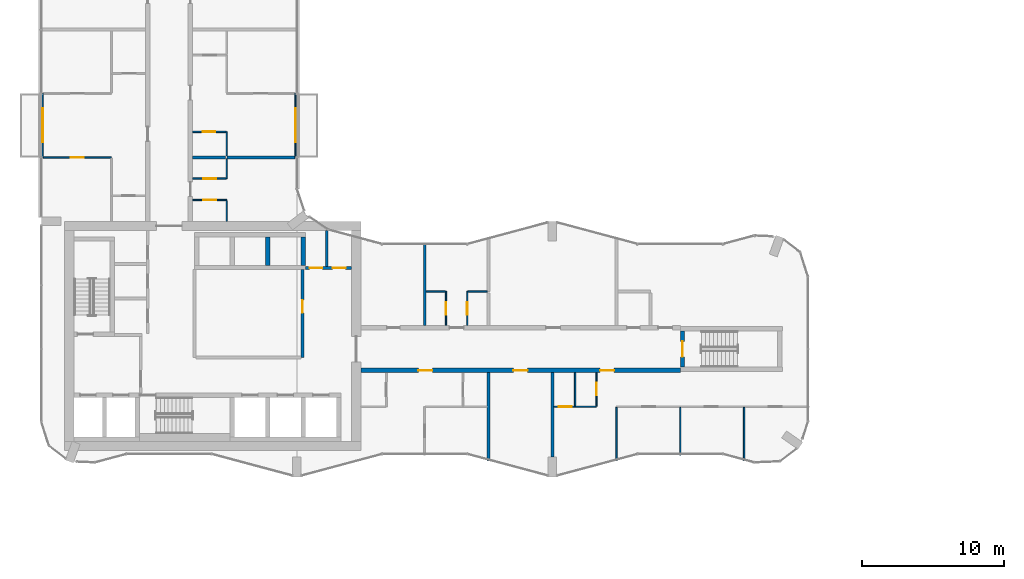
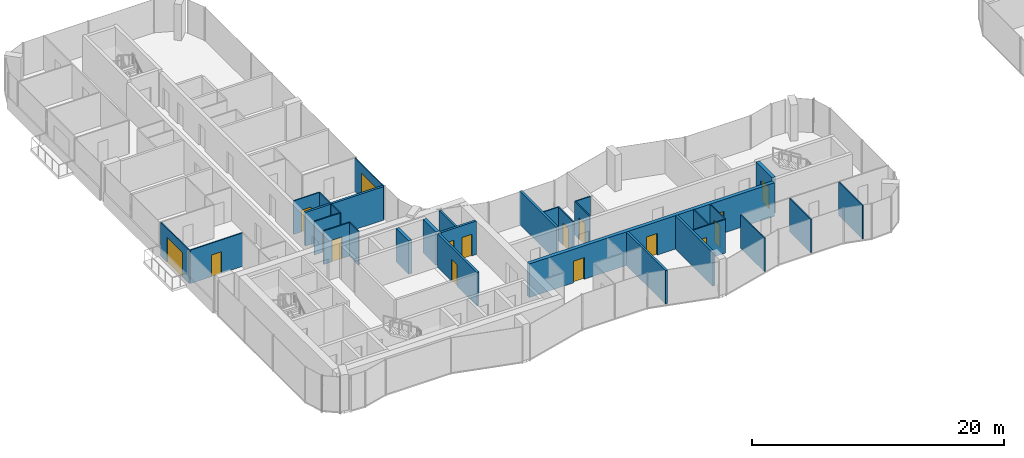
# One storey, part 14 of 22: 31 walls, 17 doors, 17 openings.
"""IFC4 building model written with IfcOpenShell, lengths in metres."""

from ifc_helpers import new_model, si_unit, direction, frame, frame_2d, origin, place, context, subcontext, project, spatial, rectangle, extrude, material, layer, layer_set, type_object, element, fill, save


model = new_model("IFC4")

# Units and contexts
model_context = context("Model", 3, precision=1e-05, world=origin(), true_north=direction((0.0, 1.0)))
body_context = subcontext(model_context, "Body", "Model", "MODEL_VIEW")
ifc_project = project(units=[si_unit("LENGTHUNIT", "METRE"), si_unit("AREAUNIT", "SQUARE_METRE"), si_unit("VOLUMEUNIT", "CUBIC_METRE"), si_unit("PLANEANGLEUNIT", "RADIAN"), si_unit("MASSUNIT", "GRAM", prefix="KILO")], contexts=[model_context])

# Site, building, storey
site_placement = place(None, origin())
site = spatial("IfcSite", under=ifc_project, at=site_placement, CompositionType="ELEMENT")
building_placement = place(site_placement, origin())
building = spatial("IfcBuilding", under=site, at=building_placement, Name="Plateau Cross Towers", CompositionType="ELEMENT")
storey_placement = place(building_placement, frame((0.0, 0.0, 109.800048828125)))
storey = spatial("IfcBuildingStorey", under=building, at=storey_placement, Name="L28", CompositionType="ELEMENT", Elevation=109.800048828125)

# Wall, opening, door
ifc_material_1 = material(Name="Aluminium framed glazing", Category="aluminium")
ifc_layer_1 = layer(ifc_material_1, 0.10009765625)
ifc_layer_set_1 = layer_set([ifc_layer_1], Name="Aluminium framed glazing")
wall_type_1 = type_object("IfcWallType", Name="Balcony screen wall 100", PredefinedType="STANDARD", material=ifc_layer_set_1)
wall_1_placement = place(storey_placement, frame((0.10009765625, 22.5, 0.0), z_axis=(0.0, 0.0, 1.0), x_axis=(0.0, 1.0, 0.0)))
wall_1 = element("IfcWall", 1, at=wall_1_placement, inside=storey, type_object=wall_type_1, Name="Balcony screen wall A-BAL-L28-01", PredefinedType="STANDARD", context=body_context, shape_type="SweptSolid", body=[
    extrude(rectangle(XDim=4.5, YDim=0.10009765625, at=frame_2d((2.25, 0.0))), origin(), (0.0, 0.0, 1.0), 3.25),
])
opening_1_placement = place(wall_1_placement, frame((1.050048828125, 0.0, 0.0)))
opening_1 = element("IfcOpeningElement", 2, at=opening_1_placement, cuts=wall_1, Name="Opening D-B24", PredefinedType="OPENING", context=body_context, shape_type="SweptSolid", body=[
    extrude(rectangle(XDim=2.39990234375, YDim=2.39990234375, at=frame_2d((1.199951171875, 1.199951171875))), frame((0.0, 0.06005859375, 0.0), z_axis=(0.0, -1.0, 0.0), x_axis=(1.0, 0.0, 0.0)), (0.0, 0.0, 1.0), 0.1201171875),
])
ifc_material_2 = material(Name="Aluminium frame, double glazing", Category="aluminium")
door_type_1 = type_object("IfcDoorType", Name="Balcony sliding door 2400", OperationType="NOTDEFINED", PredefinedType="DOOR", material=ifc_material_2)
door_1_placement = place(opening_1_placement, origin())
door_1 = element("IfcDoor", 3, at=door_1_placement, inside=storey, type_object=door_type_1, Name="Balcony door A-BAL-L28-01", OperationType="SINGLE_SWING_LEFT", OverallHeight=2.39990234375, OverallWidth=2.39990234375, PredefinedType="DOOR", context=body_context, shape_type="SweptSolid", body=[
    extrude(rectangle(XDim=2.39990234375, YDim=2.39990234375, at=frame_2d((1.199951171875, 1.199951171875))), frame((0.0, 0.02490234375, 0.0), z_axis=(0.0, -1.0, 0.0), x_axis=(1.0, 0.0, 0.0)), (0.0, 0.0, 1.0), 0.050048828125),
])
fill(opening_1, door_1)

wall_2_placement = place(storey_placement, frame((17.89990234375, 27.0, 0.0), z_axis=(0.0, 0.0, 1.0), x_axis=(0.0, -1.0, 0.0)))
wall_2 = element("IfcWall", 4, at=wall_2_placement, inside=storey, type_object=wall_type_1, Name="Balcony screen wall A-BAL-L28-03", PredefinedType="STANDARD", context=body_context, shape_type="SweptSolid", body=[
    extrude(rectangle(XDim=4.5, YDim=0.10009765625, at=frame_2d((2.25, 0.0))), origin(), (0.0, 0.0, 1.0), 3.25),
])
opening_2_placement = place(wall_2_placement, frame((1.050048828125, 0.0, 0.0)))
opening_2 = element("IfcOpeningElement", 5, at=opening_2_placement, cuts=wall_2, Name="Opening D-B24", PredefinedType="OPENING", context=body_context, shape_type="SweptSolid", body=[
    extrude(rectangle(XDim=2.39990234375, YDim=2.39990234375, at=frame_2d((1.199951171875, 1.199951171875))), frame((0.0, 0.06005859375, 0.0), z_axis=(0.0, -1.0, 0.0), x_axis=(1.0, 0.0, 0.0)), (0.0, 0.0, 1.0), 0.1201171875),
])
door_2_placement = place(opening_2_placement, origin())
door_2 = element("IfcDoor", 6, at=door_2_placement, inside=storey, type_object=door_type_1, Name="Balcony door A-BAL-L28-03", OperationType="SINGLE_SWING_LEFT", OverallHeight=2.39990234375, OverallWidth=2.39990234375, PredefinedType="DOOR", context=body_context, shape_type="SweptSolid", body=[
    extrude(rectangle(XDim=2.39990234375, YDim=2.39990234375, at=frame_2d((1.199951171875, 1.199951171875))), frame((0.0, 0.02490234375, 0.0), z_axis=(0.0, -1.0, 0.0), x_axis=(1.0, 0.0, 0.0)), (0.0, 0.0, 1.0), 0.050048828125),
])
fill(opening_2, door_2)

ifc_material_3 = material(Name="Concrete block, plastered both sides", Category="concrete")
ifc_layer_2 = layer(ifc_material_3, 0.199951171875)
ifc_layer_set_2 = layer_set([ifc_layer_2], Name="Concrete block, plastered both sides")
wall_type_2 = type_object("IfcWallType", Name="Core partition 200", PredefinedType="PARTITIONING", material=ifc_layer_set_2)
wall_3_placement = place(storey_placement, frame((18.39990234375, 8.39990234375, 0.0), z_axis=(0.0, 0.0, 1.0), x_axis=(0.0, 1.0, 0.0)))
wall_3 = element("IfcWall", 7, at=wall_3_placement, inside=storey, type_object=wall_type_2, Name="Core partition", PredefinedType="PARTITIONING", context=body_context, shape_type="SweptSolid", body=[
    extrude(rectangle(XDim=6.2001953125, YDim=0.199951171875, at=frame_2d((3.10009765625, 0.0))), origin(), (0.0, 0.0, 1.0), 3.25),
])
opening_3_placement = place(wall_3_placement, frame((3.14990234375, 0.0, 0.0)))
opening_3 = element("IfcOpeningElement", 8, at=opening_3_placement, cuts=wall_3, Name="Opening RD1", PredefinedType="OPENING", context=body_context, shape_type="SweptSolid", body=[
    extrude(rectangle(XDim=0.89990234375, YDim=2.10009765625, at=frame_2d((0.449951171875, 1.050048828125))), frame((0.0, 0.10986328125, 0.0), z_axis=(0.0, -1.0, 0.0), x_axis=(1.0, 0.0, 0.0)), (0.0, 0.0, 1.0), 0.219970703125),
])
ifc_material_4 = material(Name="Timber, fire-resisting leaf", Category="wood")
door_type_2 = type_object("IfcDoorType", Name="Core service door 900", OperationType="NOTDEFINED", PredefinedType="DOOR", material=ifc_material_4)
door_3_placement = place(opening_3_placement, origin())
door_3 = element("IfcDoor", 9, at=door_3_placement, inside=storey, type_object=door_type_2, Name="Core service door RD1", OperationType="SINGLE_SWING_LEFT", OverallHeight=2.10009765625, OverallWidth=0.89990234375, PredefinedType="DOOR", context=body_context, shape_type="SweptSolid", body=[
    extrude(rectangle(XDim=0.89990234375, YDim=2.10009765625, at=frame_2d((0.449951171875, 1.050048828125))), frame((0.0, 0.02490234375, 0.0), z_axis=(0.0, -1.0, 0.0), x_axis=(1.0, 0.0, 0.0)), (0.0, 0.0, 1.0), 0.050048828125),
])
fill(opening_3, door_3)

# Wall, openings, doors
wall_4_placement = place(storey_placement, frame((18.60009765625, 14.699951171875, 0.0), z_axis=(0.0, 0.0, 1.0), x_axis=(1.0, 0.0, 0.0)))
wall_4 = element("IfcWall", 10, at=wall_4_placement, inside=storey, type_object=wall_type_2, Name="Core partition", PredefinedType="PARTITIONING", context=body_context, shape_type="SweptSolid", body=[
    extrude(rectangle(XDim=3.25, YDim=0.199951171875, at=frame_2d((1.625, 0.0))), origin(), (0.0, 0.0, 1.0), 3.25),
])
opening_4_placement = place(wall_4_placement, frame((0.300048828125, 0.0, 0.0)))
opening_4 = element("IfcOpeningElement", 11, at=opening_4_placement, cuts=wall_4, Name="Opening RD2", PredefinedType="OPENING", context=body_context, shape_type="SweptSolid", body=[
    extrude(rectangle(XDim=0.89990234375, YDim=2.10009765625, at=frame_2d((0.449951171875, 1.050048828125))), frame((0.0, 0.10986328125, 0.0), z_axis=(0.0, -1.0, 0.0), x_axis=(1.0, 0.0, 0.0)), (0.0, 0.0, 1.0), 0.219970703125),
])
opening_5_placement = place(wall_4_placement, frame((1.925048828125, 0.0, 0.0)))
opening_5 = element("IfcOpeningElement", 12, at=opening_5_placement, cuts=wall_4, Name="Opening RD2", PredefinedType="OPENING", context=body_context, shape_type="SweptSolid", body=[
    extrude(rectangle(XDim=0.89990234375, YDim=2.10009765625, at=frame_2d((0.449951171875, 1.050048828125))), frame((0.0, 0.10986328125, 0.0), z_axis=(0.0, -1.0, 0.0), x_axis=(1.0, 0.0, 0.0)), (0.0, 0.0, 1.0), 0.219970703125),
])
ifc_material_5 = material(Name="Steel, fire-resisting leaf", Category="steel")
door_type_3 = type_object("IfcDoorType", Name="Core riser door 900", OperationType="NOTDEFINED", PredefinedType="DOOR", material=ifc_material_5)
door_4_placement = place(opening_4_placement, origin())
door_4 = element("IfcDoor", 13, at=door_4_placement, inside=storey, type_object=door_type_3, Name="Core riser door RD2", OperationType="SINGLE_SWING_LEFT", OverallHeight=2.10009765625, OverallWidth=0.89990234375, PredefinedType="DOOR", context=body_context, shape_type="SweptSolid", body=[
    extrude(rectangle(XDim=0.89990234375, YDim=2.10009765625, at=frame_2d((0.449951171875, 1.050048828125))), frame((0.0, 0.02490234375, 0.0), z_axis=(0.0, -1.0, 0.0), x_axis=(1.0, 0.0, 0.0)), (0.0, 0.0, 1.0), 0.050048828125),
])
fill(opening_4, door_4)
door_5_placement = place(opening_5_placement, origin())
door_5 = element("IfcDoor", 14, at=door_5_placement, inside=storey, type_object=door_type_3, Name="Core riser door RD2", OperationType="SINGLE_SWING_LEFT", OverallHeight=2.10009765625, OverallWidth=0.89990234375, PredefinedType="DOOR", context=body_context, shape_type="SweptSolid", body=[
    extrude(rectangle(XDim=0.89990234375, YDim=2.10009765625, at=frame_2d((0.449951171875, 1.050048828125))), frame((0.0, 0.02490234375, 0.0), z_axis=(0.0, -1.0, 0.0), x_axis=(1.0, 0.0, 0.0)), (0.0, 0.0, 1.0), 0.050048828125),
])
fill(opening_5, door_5)

# Walls
wall_5_placement = place(storey_placement, frame((20.10009765625, 14.800048828125, 0.0), z_axis=(0.0, 0.0, 1.0), x_axis=(0.0, 1.0, 0.0)))
element("IfcWall", 15, at=wall_5_placement, inside=storey, type_object=wall_type_2, Name="Core partition", PredefinedType="PARTITIONING", context=body_context, shape_type="SweptSolid", body=[
    extrude(rectangle(XDim=2.550048828125, YDim=0.199951171875, at=frame_2d((1.27490234375, 0.0))), origin(), (0.0, 0.0, 1.0), 3.25),
])
ifc_material_6 = material(Name="Concrete C60/75", Category="concrete")
ifc_layer_3 = layer(ifc_material_6, 0.300048828125)
ifc_layer_set_3 = layer_set([ifc_layer_3], Name="Concrete C60/75")
wall_type_3 = type_object("IfcWallType", Name="Core shaft wall 300", PredefinedType="SHEAR", material=ifc_layer_set_3)
for number, where, z_axis, x_axis, name in (
    (16, (15.949951171875, 14.89990234375, 0.0), (0.0, 0.0, 1.0), (0.0, 1.0, 0.0), "A-nb-v3@L28"),
    (17, (18.449951171875, 14.89990234375, 0.0), (0.0, 0.0, 1.0), (0.0, 1.0, 0.0), "A-nb-v4@L28"),
):
    element("IfcWall", number, at=place(storey_placement, frame(where, z_axis=z_axis, x_axis=x_axis)), inside=storey, type_object=wall_type_3, Name=name, PredefinedType="SHEAR", context=body_context, shape_type="SweptSolid", body=[
        extrude(rectangle(XDim=2.0, YDim=0.300048828125, at=frame_2d((1.0, 0.0))), origin(), (0.0, 0.0, 1.0), 3.25),
    ])

# Wall, openings, doors
ifc_layer_4 = layer(ifc_material_6, 0.324951171875)
ifc_layer_set_4 = layer_set([ifc_layer_4], Name="Concrete C60/75")
wall_type_4 = type_object("IfcWallType", Name="Corridor wall 325", PredefinedType="SHEAR", material=ifc_layer_set_4)
wall_6_placement = place(storey_placement, frame((22.5, 7.5, 0.0), z_axis=(0.0, 0.0, 1.0), x_axis=(1.0, 0.0, 0.0)))
wall_6 = element("IfcWall", 18, at=wall_6_placement, inside=storey, type_object=wall_type_4, Name="A-cw-S1@L28", PredefinedType="SHEAR", context=body_context, shape_type="SweptSolid", body=[
    extrude(rectangle(XDim=22.5, YDim=0.324951171875, at=frame_2d((11.25, 0.0))), origin(), (0.0, 0.0, 1.0), 3.25),
])
opening_6_placement = place(wall_6_placement, frame((4.050048828125, 0.0, 0.0)))
opening_6 = element("IfcOpeningElement", 19, at=opening_6_placement, cuts=wall_6, Name="Opening 28-01", PredefinedType="OPENING", context=body_context, shape_type="SweptSolid", body=[
    extrude(rectangle(XDim=1.0, YDim=2.10009765625, at=frame_2d((0.5, 1.050048828125))), frame((0.0, 0.17236328125, 0.0), z_axis=(0.0, -1.0, 0.0), x_axis=(1.0, 0.0, 0.0)), (0.0, 0.0, 1.0), 0.344970703125),
])
opening_7_placement = place(wall_6_placement, frame((10.75, 0.0, 0.0)))
opening_7 = element("IfcOpeningElement", 20, at=opening_7_placement, cuts=wall_6, Name="Opening 28-02", PredefinedType="OPENING", context=body_context, shape_type="SweptSolid", body=[
    extrude(rectangle(XDim=1.0, YDim=2.10009765625, at=frame_2d((0.5, 1.050048828125))), frame((0.0, 0.17236328125, 0.0), z_axis=(0.0, -1.0, 0.0), x_axis=(1.0, 0.0, 0.0)), (0.0, 0.0, 1.0), 0.344970703125),
])
opening_8_placement = place(wall_6_placement, frame((16.85009765625, 0.0, 0.0)))
opening_8 = element("IfcOpeningElement", 21, at=opening_8_placement, cuts=wall_6, Name="Opening 28-03", PredefinedType="OPENING", context=body_context, shape_type="SweptSolid", body=[
    extrude(rectangle(XDim=1.0, YDim=2.10009765625, at=frame_2d((0.5, 1.050048828125))), frame((0.0, 0.17236328125, 0.0), z_axis=(0.0, -1.0, 0.0), x_axis=(1.0, 0.0, 0.0)), (0.0, 0.0, 1.0), 0.344970703125),
])
door_type_4 = type_object("IfcDoorType", Name="Flat entrance door 1000", OperationType="NOTDEFINED", PredefinedType="DOOR", material=ifc_material_4)
door_6_placement = place(opening_6_placement, origin())
door_6 = element("IfcDoor", 22, at=door_6_placement, inside=storey, type_object=door_type_4, Name="Door 28-01", OperationType="SINGLE_SWING_LEFT", OverallHeight=2.10009765625, OverallWidth=1.0, PredefinedType="DOOR", context=body_context, shape_type="SweptSolid", body=[
    extrude(rectangle(XDim=1.0, YDim=2.10009765625, at=frame_2d((0.5, 1.050048828125))), frame((0.0, 0.02490234375, 0.0), z_axis=(0.0, -1.0, 0.0), x_axis=(1.0, 0.0, 0.0)), (0.0, 0.0, 1.0), 0.050048828125),
])
fill(opening_6, door_6)
door_7_placement = place(opening_7_placement, origin())
door_7 = element("IfcDoor", 23, at=door_7_placement, inside=storey, type_object=door_type_4, Name="Door 28-02", OperationType="SINGLE_SWING_LEFT", OverallHeight=2.10009765625, OverallWidth=1.0, PredefinedType="DOOR", context=body_context, shape_type="SweptSolid", body=[
    extrude(rectangle(XDim=1.0, YDim=2.10009765625, at=frame_2d((0.5, 1.050048828125))), frame((0.0, 0.02490234375, 0.0), z_axis=(0.0, -1.0, 0.0), x_axis=(1.0, 0.0, 0.0)), (0.0, 0.0, 1.0), 0.050048828125),
])
fill(opening_7, door_7)
door_8_placement = place(opening_8_placement, origin())
door_8 = element("IfcDoor", 24, at=door_8_placement, inside=storey, type_object=door_type_4, Name="Door 28-03", OperationType="SINGLE_SWING_RIGHT", OverallHeight=2.10009765625, OverallWidth=1.0, PredefinedType="DOOR", context=body_context, shape_type="SweptSolid", body=[
    extrude(rectangle(XDim=1.0, YDim=2.10009765625, at=frame_2d((0.5, 1.050048828125))), frame((0.0, 0.02490234375, 0.0), z_axis=(0.0, -1.0, 0.0), x_axis=(1.0, 0.0, 0.0)), (0.0, 0.0, 1.0), 0.050048828125),
])
fill(opening_8, door_8)

# Wall, opening, door
ifc_material_7 = material(Name="Gypsum board on steel studs", Category="steel")
ifc_layer_5 = layer(ifc_material_7, 0.10009765625)
ifc_layer_set_5 = layer_set([ifc_layer_5], Name="Gypsum board on steel studs")
wall_type_5 = type_object("IfcWallType", Name="Flat partition 100", PredefinedType="PARTITIONING", material=ifc_layer_set_5)
wall_7_placement = place(storey_placement, frame((36.10009765625, 4.9375, 0.0), z_axis=(0.0, 0.0, 1.0), x_axis=(1.0, 0.0, 0.0)))
wall_7 = element("IfcWall", 25, at=wall_7_placement, inside=storey, type_object=wall_type_5, Name="Partition wall", PredefinedType="PARTITIONING", context=body_context, shape_type="SweptSolid", body=[
    extrude(rectangle(XDim=3.0, YDim=0.10009765625, at=frame_2d((1.5, 0.0))), origin(), (0.0, 0.0, 1.0), 3.25),
])
opening_9_placement = place(wall_7_placement, frame((0.35009765625, 0.0, 0.0)))
opening_9 = element("IfcOpeningElement", 26, at=opening_9_placement, cuts=wall_7, Name="Opening 28-21", PredefinedType="OPENING", context=body_context, shape_type="SweptSolid", body=[
    extrude(rectangle(XDim=0.89990234375, YDim=2.10009765625, at=frame_2d((0.449951171875, 1.050048828125))), frame((0.0, 0.06005859375, 0.0), z_axis=(0.0, -1.0, 0.0), x_axis=(1.0, 0.0, 0.0)), (0.0, 0.0, 1.0), 0.1201171875),
])
ifc_material_8 = material(Name="Timber leaf", Category="wood")
door_type_5 = type_object("IfcDoorType", Name="Flat room door 900", OperationType="NOTDEFINED", PredefinedType="DOOR", material=ifc_material_8)
door_9_placement = place(opening_9_placement, origin())
door_9 = element("IfcDoor", 27, at=door_9_placement, inside=storey, type_object=door_type_5, Name="Door 28-21", OperationType="SINGLE_SWING_LEFT", OverallHeight=2.10009765625, OverallWidth=0.89990234375, PredefinedType="DOOR", context=body_context, shape_type="SweptSolid", body=[
    extrude(rectangle(XDim=0.89990234375, YDim=2.10009765625, at=frame_2d((0.449951171875, 1.050048828125))), frame((0.0, 0.02490234375, 0.0), z_axis=(0.0, -1.0, 0.0), x_axis=(1.0, 0.0, 0.0)), (0.0, 0.0, 1.0), 0.050048828125),
])
fill(opening_9, door_9)

# Walls
for number, where, z_axis, x_axis, name in (
    (28, (28.449951171875, 13.0625, 0.0), (0.0, 0.0, 1.0), (-1.0, 0.0, 0.0), "Partition wall"),
    (29, (31.39990234375, 13.0625, 0.0), (0.0, 0.0, 1.0), (-1.0, 0.0, 0.0), "Partition wall"),
):
    element("IfcWall", number, at=place(storey_placement, frame(where, z_axis=z_axis, x_axis=x_axis)), inside=storey, type_object=wall_type_5, Name=name, PredefinedType="PARTITIONING", context=body_context, shape_type="SweptSolid", body=[
        extrude(rectangle(XDim=1.349853515625, YDim=0.10009765625, at=frame_2d((0.6748046875, 0.0))), origin(), (0.0, 0.0, 1.0), 3.25),
    ])

# Wall, opening, door
wall_8_placement = place(storey_placement, frame((13.0625, 19.5, 0.0), z_axis=(0.0, 0.0, 1.0), x_axis=(-1.0, 0.0, 0.0)))
wall_8 = element("IfcWall", 30, at=wall_8_placement, inside=storey, type_object=wall_type_5, Name="Partition wall", PredefinedType="PARTITIONING", context=body_context, shape_type="SweptSolid", body=[
    extrude(rectangle(XDim=2.39990234375, YDim=0.10009765625, at=frame_2d((1.199951171875, 0.0))), origin(), (0.0, 0.0, 1.0), 3.25),
])
opening_10_placement = place(wall_8_placement, frame((0.75, 0.0, 0.0)))
opening_10 = element("IfcOpeningElement", 31, at=opening_10_placement, cuts=wall_8, Name="Opening 28-37", PredefinedType="OPENING", context=body_context, shape_type="SweptSolid", body=[
    extrude(rectangle(XDim=0.89990234375, YDim=2.10009765625, at=frame_2d((0.449951171875, 1.050048828125))), frame((0.0, 0.06005859375, 0.0), z_axis=(0.0, -1.0, 0.0), x_axis=(1.0, 0.0, 0.0)), (0.0, 0.0, 1.0), 0.1201171875),
])
door_10_placement = place(opening_10_placement, origin())
door_10 = element("IfcDoor", 32, at=door_10_placement, inside=storey, type_object=door_type_5, Name="Door 28-37", OperationType="SINGLE_SWING_LEFT", OverallHeight=2.10009765625, OverallWidth=0.89990234375, PredefinedType="DOOR", context=body_context, shape_type="SweptSolid", body=[
    extrude(rectangle(XDim=0.89990234375, YDim=2.10009765625, at=frame_2d((0.449951171875, 1.050048828125))), frame((0.0, 0.02490234375, 0.0), z_axis=(0.0, -1.0, 0.0), x_axis=(1.0, 0.0, 0.0)), (0.0, 0.0, 1.0), 0.050048828125),
])
fill(opening_10, door_10)

wall_9_placement = place(storey_placement, frame((10.66259765625, 21.0, 0.0), z_axis=(0.0, 0.0, 1.0), x_axis=(1.0, 0.0, 0.0)))
wall_9 = element("IfcWall", 33, at=wall_9_placement, inside=storey, type_object=wall_type_5, Name="Partition wall", PredefinedType="PARTITIONING", context=body_context, shape_type="SweptSolid", body=[
    extrude(rectangle(XDim=2.349853515625, YDim=0.10009765625, at=frame_2d((1.1748046875, 0.0))), origin(), (0.0, 0.0, 1.0), 3.25),
])
opening_11_placement = place(wall_9_placement, frame((0.75, 0.0, 0.0)))
opening_11 = element("IfcOpeningElement", 34, at=opening_11_placement, cuts=wall_9, Name="Opening 28-38", PredefinedType="OPENING", context=body_context, shape_type="SweptSolid", body=[
    extrude(rectangle(XDim=0.89990234375, YDim=2.10009765625, at=frame_2d((0.449951171875, 1.050048828125))), frame((0.0, 0.06005859375, 0.0), z_axis=(0.0, -1.0, 0.0), x_axis=(1.0, 0.0, 0.0)), (0.0, 0.0, 1.0), 0.1201171875),
])
door_11_placement = place(opening_11_placement, origin())
door_11 = element("IfcDoor", 35, at=door_11_placement, inside=storey, type_object=door_type_5, Name="Door 28-38", OperationType="SINGLE_SWING_RIGHT", OverallHeight=2.10009765625, OverallWidth=0.89990234375, PredefinedType="DOOR", context=body_context, shape_type="SweptSolid", body=[
    extrude(rectangle(XDim=0.89990234375, YDim=2.10009765625, at=frame_2d((0.449951171875, 1.050048828125))), frame((0.0, 0.02490234375, 0.0), z_axis=(0.0, -1.0, 0.0), x_axis=(1.0, 0.0, 0.0)), (0.0, 0.0, 1.0), 0.050048828125),
])
fill(opening_11, door_11)

wall_10_placement = place(storey_placement, frame((4.9375, 22.5, 0.0), z_axis=(0.0, 0.0, 1.0), x_axis=(-1.0, 0.0, 0.0)))
wall_10 = element("IfcWall", 36, at=wall_10_placement, inside=storey, type_object=wall_type_5, Name="Partition wall", PredefinedType="PARTITIONING", context=body_context, shape_type="SweptSolid", body=[
    extrude(rectangle(XDim=4.78759765625, YDim=0.10009765625, at=frame_2d((2.393798828125, 0.0))), origin(), (0.0, 0.0, 1.0), 3.25),
])
opening_12_placement = place(wall_10_placement, frame((1.949951171875, 0.0, 0.0)))
opening_12 = element("IfcOpeningElement", 37, at=opening_12_placement, cuts=wall_10, Name="Opening 28-30", PredefinedType="OPENING", context=body_context, shape_type="SweptSolid", body=[
    extrude(rectangle(XDim=0.89990234375, YDim=2.10009765625, at=frame_2d((0.449951171875, 1.050048828125))), frame((0.0, 0.06005859375, 0.0), z_axis=(0.0, -1.0, 0.0), x_axis=(1.0, 0.0, 0.0)), (0.0, 0.0, 1.0), 0.1201171875),
])
door_12_placement = place(opening_12_placement, origin())
door_12 = element("IfcDoor", 38, at=door_12_placement, inside=storey, type_object=door_type_5, Name="Door 28-30", OperationType="SINGLE_SWING_RIGHT", OverallHeight=2.10009765625, OverallWidth=0.89990234375, PredefinedType="DOOR", context=body_context, shape_type="SweptSolid", body=[
    extrude(rectangle(XDim=0.89990234375, YDim=2.10009765625, at=frame_2d((0.449951171875, 1.050048828125))), frame((0.0, 0.02490234375, 0.0), z_axis=(0.0, -1.0, 0.0), x_axis=(1.0, 0.0, 0.0)), (0.0, 0.0, 1.0), 0.050048828125),
])
fill(opening_12, door_12)

wall_11_placement = place(storey_placement, frame((13.012451171875, 24.300048828125, 0.0), z_axis=(0.0, 0.0, 1.0), x_axis=(-1.0, 0.0, 0.0)))
wall_11 = element("IfcWall", 39, at=wall_11_placement, inside=storey, type_object=wall_type_5, Name="Partition wall", PredefinedType="PARTITIONING", context=body_context, shape_type="SweptSolid", body=[
    extrude(rectangle(XDim=2.349853515625, YDim=0.10009765625, at=frame_2d((1.1748046875, 0.0))), origin(), (0.0, 0.0, 1.0), 3.25),
])
opening_13_placement = place(wall_11_placement, frame((0.75, 0.0, 0.0)))
opening_13 = element("IfcOpeningElement", 40, at=opening_13_placement, cuts=wall_11, Name="Opening 28-39", PredefinedType="OPENING", context=body_context, shape_type="SweptSolid", body=[
    extrude(rectangle(XDim=0.89990234375, YDim=2.10009765625, at=frame_2d((0.449951171875, 1.050048828125))), frame((0.0, 0.06005859375, 0.0), z_axis=(0.0, -1.0, 0.0), x_axis=(1.0, 0.0, 0.0)), (0.0, 0.0, 1.0), 0.1201171875),
])
door_13_placement = place(opening_13_placement, origin())
door_13 = element("IfcDoor", 41, at=door_13_placement, inside=storey, type_object=door_type_5, Name="Door 28-39", OperationType="SINGLE_SWING_RIGHT", OverallHeight=2.10009765625, OverallWidth=0.89990234375, PredefinedType="DOOR", context=body_context, shape_type="SweptSolid", body=[
    extrude(rectangle(XDim=0.89990234375, YDim=2.10009765625, at=frame_2d((0.449951171875, 1.050048828125))), frame((0.0, 0.02490234375, 0.0), z_axis=(0.0, -1.0, 0.0), x_axis=(1.0, 0.0, 0.0)), (0.0, 0.0, 1.0), 0.050048828125),
])
fill(opening_13, door_13)

# Walls
wall_12_placement = place(storey_placement, frame((13.0625, 18.0, 0.0), z_axis=(0.0, 0.0, 1.0), x_axis=(0.0, 1.0, 0.0)))
element("IfcWall", 42, at=wall_12_placement, inside=storey, type_object=wall_type_5, Name="Partition wall", PredefinedType="PARTITIONING", context=body_context, shape_type="SweptSolid", body=[
    extrude(rectangle(XDim=1.449951171875, YDim=0.10009765625, at=frame_2d((0.72509765625, 0.0))), origin(), (0.0, 0.0, 1.0), 3.25),
])
wall_13_placement = place(storey_placement, frame((13.0625, 21.0, 0.0), z_axis=(0.0, 0.0, 1.0), x_axis=(0.0, 1.0, 0.0)))
element("IfcWall", 43, at=wall_13_placement, inside=storey, type_object=wall_type_5, Name="Partition wall", PredefinedType="PARTITIONING", context=body_context, shape_type="SweptSolid", body=[
    extrude(rectangle(XDim=1.39990234375, YDim=0.10009765625, at=frame_2d((0.699951171875, 0.0))), origin(), (0.0, 0.0, 1.0), 3.25),
])
wall_14_placement = place(storey_placement, frame((13.0625, 22.60009765625, 0.0), z_axis=(0.0, 0.0, 1.0), x_axis=(0.0, 1.0, 0.0)))
element("IfcWall", 44, at=wall_14_placement, inside=storey, type_object=wall_type_5, Name="Partition wall", PredefinedType="PARTITIONING", context=body_context, shape_type="SweptSolid", body=[
    extrude(rectangle(XDim=1.699951171875, YDim=0.10009765625, at=frame_2d((0.85009765625, 0.0))), origin(), (0.0, 0.0, 1.0), 3.25),
])

# Wall, opening, door
wall_15_placement = place(storey_placement, frame((28.5, 10.66259765625, 0.0), z_axis=(0.0, 0.0, 1.0), x_axis=(0.0, 1.0, 0.0)))
wall_15 = element("IfcWall", 45, at=wall_15_placement, inside=storey, type_object=wall_type_5, Name="Partition wall", PredefinedType="PARTITIONING", context=body_context, shape_type="SweptSolid", body=[
    extrude(rectangle(XDim=2.39990234375, YDim=0.10009765625, at=frame_2d((1.199951171875, 0.0))), origin(), (0.0, 0.0, 1.0), 3.25),
])
opening_14_placement = place(wall_15_placement, frame((0.75, 0.0, 0.0)))
opening_14 = element("IfcOpeningElement", 46, at=opening_14_placement, cuts=wall_15, Name="Opening 28-26", PredefinedType="OPENING", context=body_context, shape_type="SweptSolid", body=[
    extrude(rectangle(XDim=0.89990234375, YDim=2.10009765625, at=frame_2d((0.449951171875, 1.050048828125))), frame((0.0, 0.06005859375, 0.0), z_axis=(0.0, -1.0, 0.0), x_axis=(1.0, 0.0, 0.0)), (0.0, 0.0, 1.0), 0.1201171875),
])
door_14_placement = place(opening_14_placement, origin())
door_14 = element("IfcDoor", 47, at=door_14_placement, inside=storey, type_object=door_type_5, Name="Door 28-26", OperationType="SINGLE_SWING_LEFT", OverallHeight=2.10009765625, OverallWidth=0.89990234375, PredefinedType="DOOR", context=body_context, shape_type="SweptSolid", body=[
    extrude(rectangle(XDim=0.89990234375, YDim=2.10009765625, at=frame_2d((0.449951171875, 1.050048828125))), frame((0.0, 0.02490234375, 0.0), z_axis=(0.0, -1.0, 0.0), x_axis=(1.0, 0.0, 0.0)), (0.0, 0.0, 1.0), 0.050048828125),
])
fill(opening_14, door_14)

wall_16_placement = place(storey_placement, frame((30.0, 13.0625, 0.0), z_axis=(0.0, 0.0, 1.0), x_axis=(0.0, -1.0, 0.0)))
wall_16 = element("IfcWall", 48, at=wall_16_placement, inside=storey, type_object=wall_type_5, Name="Partition wall", PredefinedType="PARTITIONING", context=body_context, shape_type="SweptSolid", body=[
    extrude(rectangle(XDim=2.39990234375, YDim=0.10009765625, at=frame_2d((1.199951171875, 0.0))), origin(), (0.0, 0.0, 1.0), 3.25),
])
opening_15_placement = place(wall_16_placement, frame((0.75, 0.0, 0.0)))
opening_15 = element("IfcOpeningElement", 49, at=opening_15_placement, cuts=wall_16, Name="Opening 28-27", PredefinedType="OPENING", context=body_context, shape_type="SweptSolid", body=[
    extrude(rectangle(XDim=0.89990234375, YDim=2.10009765625, at=frame_2d((0.449951171875, 1.050048828125))), frame((0.0, 0.06005859375, 0.0), z_axis=(0.0, -1.0, 0.0), x_axis=(1.0, 0.0, 0.0)), (0.0, 0.0, 1.0), 0.1201171875),
])
door_15_placement = place(opening_15_placement, origin())
door_15 = element("IfcDoor", 50, at=door_15_placement, inside=storey, type_object=door_type_5, Name="Door 28-27", OperationType="SINGLE_SWING_LEFT", OverallHeight=2.10009765625, OverallWidth=0.89990234375, PredefinedType="DOOR", context=body_context, shape_type="SweptSolid", body=[
    extrude(rectangle(XDim=0.89990234375, YDim=2.10009765625, at=frame_2d((0.449951171875, 1.050048828125))), frame((0.0, 0.02490234375, 0.0), z_axis=(0.0, -1.0, 0.0), x_axis=(1.0, 0.0, 0.0)), (0.0, 0.0, 1.0), 0.050048828125),
])
fill(opening_15, door_15)

# Wall
wall_17_placement = place(storey_placement, frame((37.60009765625, 4.987548828125, 0.0), z_axis=(0.0, 0.0, 1.0), x_axis=(0.0, 1.0, 0.0)))
element("IfcWall", 51, at=wall_17_placement, inside=storey, type_object=wall_type_5, Name="Partition wall", PredefinedType="PARTITIONING", context=body_context, shape_type="SweptSolid", body=[
    extrude(rectangle(XDim=2.349853515625, YDim=0.10009765625, at=frame_2d((1.1748046875, 0.0))), origin(), (0.0, 0.0, 1.0), 3.25),
])

# Wall, opening, door
wall_18_placement = place(storey_placement, frame((39.10009765625, 4.987548828125, 0.0), z_axis=(0.0, 0.0, 1.0), x_axis=(0.0, 1.0, 0.0)))
wall_18 = element("IfcWall", 52, at=wall_18_placement, inside=storey, type_object=wall_type_5, Name="Partition wall", PredefinedType="PARTITIONING", context=body_context, shape_type="SweptSolid", body=[
    extrude(rectangle(XDim=2.349853515625, YDim=0.10009765625, at=frame_2d((1.1748046875, 0.0))), origin(), (0.0, 0.0, 1.0), 3.25),
])
opening_16_placement = place(wall_18_placement, frame((0.75, 0.0, 0.0)))
opening_16 = element("IfcOpeningElement", 53, at=opening_16_placement, cuts=wall_18, Name="Opening 28-22", PredefinedType="OPENING", context=body_context, shape_type="SweptSolid", body=[
    extrude(rectangle(XDim=0.89990234375, YDim=2.10009765625, at=frame_2d((0.449951171875, 1.050048828125))), frame((0.0, 0.06005859375, 0.0), z_axis=(0.0, -1.0, 0.0), x_axis=(1.0, 0.0, 0.0)), (0.0, 0.0, 1.0), 0.1201171875),
])
door_16_placement = place(opening_16_placement, origin())
door_16 = element("IfcDoor", 54, at=door_16_placement, inside=storey, type_object=door_type_5, Name="Door 28-22", OperationType="SINGLE_SWING_RIGHT", OverallHeight=2.10009765625, OverallWidth=0.89990234375, PredefinedType="DOOR", context=body_context, shape_type="SweptSolid", body=[
    extrude(rectangle(XDim=0.89990234375, YDim=2.10009765625, at=frame_2d((0.449951171875, 1.050048828125))), frame((0.0, 0.02490234375, 0.0), z_axis=(0.0, -1.0, 0.0), x_axis=(1.0, 0.0, 0.0)), (0.0, 0.0, 1.0), 0.050048828125),
])
fill(opening_16, door_16)

# Walls
wall_19_placement = place(storey_placement, frame((40.5, 4.887451171875, 0.0), z_axis=(0.0, 0.0, 1.0), x_axis=(0.0, -1.0, 0.0)))
element("IfcWall", 55, at=wall_19_placement, inside=storey, type_object=wall_type_5, Name="Partition wall", PredefinedType="PARTITIONING", context=body_context, shape_type="SweptSolid", body=[
    extrude(rectangle(XDim=3.76513671875, YDim=0.10009765625, at=frame_2d((1.882568359375, 0.0))), origin(), (0.0, 0.0, 1.0), 3.25),
])
wall_20_placement = place(storey_placement, frame((45.0, 1.52685546875, 0.0), z_axis=(0.0, 0.0, 1.0), x_axis=(0.0, 1.0, 0.0)))
element("IfcWall", 56, at=wall_20_placement, inside=storey, type_object=wall_type_5, Name="Partition wall", PredefinedType="PARTITIONING", context=body_context, shape_type="SweptSolid", body=[
    extrude(rectangle(XDim=3.360595703125, YDim=0.10009765625, at=frame_2d((1.68017578125, 0.0))), origin(), (0.0, 0.0, 1.0), 3.25),
])
wall_21_placement = place(storey_placement, frame((49.5, 1.122314453125, 0.0), z_axis=(0.0, 0.0, 1.0), x_axis=(0.0, 1.0, 0.0)))
element("IfcWall", 57, at=wall_21_placement, inside=storey, type_object=wall_type_5, Name="Partition wall", PredefinedType="PARTITIONING", context=body_context, shape_type="SweptSolid", body=[
    extrude(rectangle(XDim=3.76513671875, YDim=0.10009765625, at=frame_2d((1.882568359375, 0.0))), origin(), (0.0, 0.0, 1.0), 3.25),
])
ifc_material_9 = material(Name="Gypsum board on steel studs, two layers each side", Category="steel")
ifc_layer_6 = layer(ifc_material_9, 0.199951171875)
ifc_layer_set_6 = layer_set([ifc_layer_6], Name="Gypsum board on steel studs, two layers each side")
wall_type_6 = type_object("IfcWallType", Name="Flat party wall 200", PredefinedType="PARTITIONING", material=ifc_layer_set_6)
wall_22_placement = place(storey_placement, frame((12.96240234375, 22.5, 0.0), z_axis=(0.0, 0.0, 1.0), x_axis=(-1.0, 0.0, 0.0)))
element("IfcWall", 58, at=wall_22_placement, inside=storey, type_object=wall_type_6, Name="Party wall", PredefinedType="PARTITIONING", context=body_context, shape_type="SweptSolid", body=[
    extrude(rectangle(XDim=2.2998046875, YDim=0.199951171875, at=frame_2d((1.14990234375, 0.0))), origin(), (0.0, 0.0, 1.0), 3.25),
])
wall_23_placement = place(storey_placement, frame((13.0625, 22.5, 0.0), z_axis=(0.0, 0.0, 1.0), x_axis=(1.0, 0.0, 0.0)))
element("IfcWall", 59, at=wall_23_placement, inside=storey, type_object=wall_type_6, Name="Party wall", PredefinedType="PARTITIONING", context=body_context, shape_type="SweptSolid", body=[
    extrude(rectangle(XDim=4.78759765625, YDim=0.199951171875, at=frame_2d((2.393798828125, 0.0))), origin(), (0.0, 0.0, 1.0), 3.25),
])
wall_24_placement = place(storey_placement, frame((27.0, 10.66259765625, 0.0), z_axis=(0.0, 0.0, 1.0), x_axis=(0.0, 1.0, 0.0)))
element("IfcWall", 60, at=wall_24_placement, inside=storey, type_object=wall_type_6, Name="Party wall", PredefinedType="PARTITIONING", context=body_context, shape_type="SweptSolid", body=[
    extrude(rectangle(XDim=5.810546875, YDim=0.199951171875, at=frame_2d((2.9052734375, 0.0))), origin(), (0.0, 0.0, 1.0), 3.25),
])
wall_25_placement = place(storey_placement, frame((31.5, 1.122314453125, 0.0), z_axis=(0.0, 0.0, 1.0), x_axis=(0.0, 1.0, 0.0)))
element("IfcWall", 61, at=wall_25_placement, inside=storey, type_object=wall_type_6, Name="Party wall", PredefinedType="PARTITIONING", context=body_context, shape_type="SweptSolid", body=[
    extrude(rectangle(XDim=6.215087890625, YDim=0.199951171875, at=frame_2d((3.107421875, 0.0))), origin(), (0.0, 0.0, 1.0), 3.25),
])
wall_26_placement = place(storey_placement, frame((36.0, 1.39990234375, 0.0), z_axis=(0.0, 0.0, 1.0), x_axis=(0.0, 1.0, 0.0)))
element("IfcWall", 62, at=wall_26_placement, inside=storey, type_object=wall_type_6, Name="Party wall", PredefinedType="PARTITIONING", context=body_context, shape_type="SweptSolid", body=[
    extrude(rectangle(XDim=5.9375, YDim=0.199951171875, at=frame_2d((2.96875, 0.0))), origin(), (0.0, 0.0, 1.0), 3.25),
])

# Wall, opening, door
ifc_layer_7 = layer(ifc_material_6, 0.300048828125)
ifc_layer_set_7 = layer_set([ifc_layer_7], Name="Concrete C60/75")
wall_type_7 = type_object("IfcWallType", Name="Stair tower wall 300", PredefinedType="SHEAR", material=ifc_layer_set_7)
wall_27_placement = place(storey_placement, frame((45.14990234375, 7.72509765625, 0.0), z_axis=(0.0, 0.0, 1.0), x_axis=(0.0, 1.0, 0.0)))
wall_27 = element("IfcWall", 63, at=wall_27_placement, inside=storey, type_object=wall_type_7, Name="A-end-E-W@L28", PredefinedType="SHEAR", context=body_context, shape_type="SweptSolid", body=[
    extrude(rectangle(XDim=2.5498046875, YDim=0.300048828125, at=frame_2d((1.27490234375, 0.0))), origin(), (0.0, 0.0, 1.0), 3.5),
])
opening_17_placement = place(wall_27_placement, frame((0.72509765625, 0.0, 0.0)))
opening_17 = element("IfcOpeningElement", 64, at=opening_17_placement, cuts=wall_27, Name="Opening SD", PredefinedType="OPENING", context=body_context, shape_type="SweptSolid", body=[
    extrude(rectangle(XDim=1.10009765625, YDim=2.10009765625, at=frame_2d((0.550048828125, 1.050048828125))), frame((0.0, 0.159912109375, 0.0), z_axis=(0.0, -1.0, 0.0), x_axis=(1.0, 0.0, 0.0)), (0.0, 0.0, 1.0), 0.320068359375),
])
door_type_6 = type_object("IfcDoorType", Name="Stair door 1100", OperationType="NOTDEFINED", PredefinedType="DOOR", material=ifc_material_5)
door_17_placement = place(opening_17_placement, origin())
door_17 = element("IfcDoor", 65, at=door_17_placement, inside=storey, type_object=door_type_6, Name="Stair door SD", OperationType="SINGLE_SWING_LEFT", OverallHeight=2.10009765625, OverallWidth=1.10009765625, PredefinedType="DOOR", context=body_context, shape_type="SweptSolid", body=[
    extrude(rectangle(XDim=1.10009765625, YDim=2.10009765625, at=frame_2d((0.550048828125, 1.050048828125))), frame((0.0, 0.02490234375, 0.0), z_axis=(0.0, -1.0, 0.0), x_axis=(1.0, 0.0, 0.0)), (0.0, 0.0, 1.0), 0.050048828125),
])
fill(opening_17, door_17)

save(model, "model.ifc")
